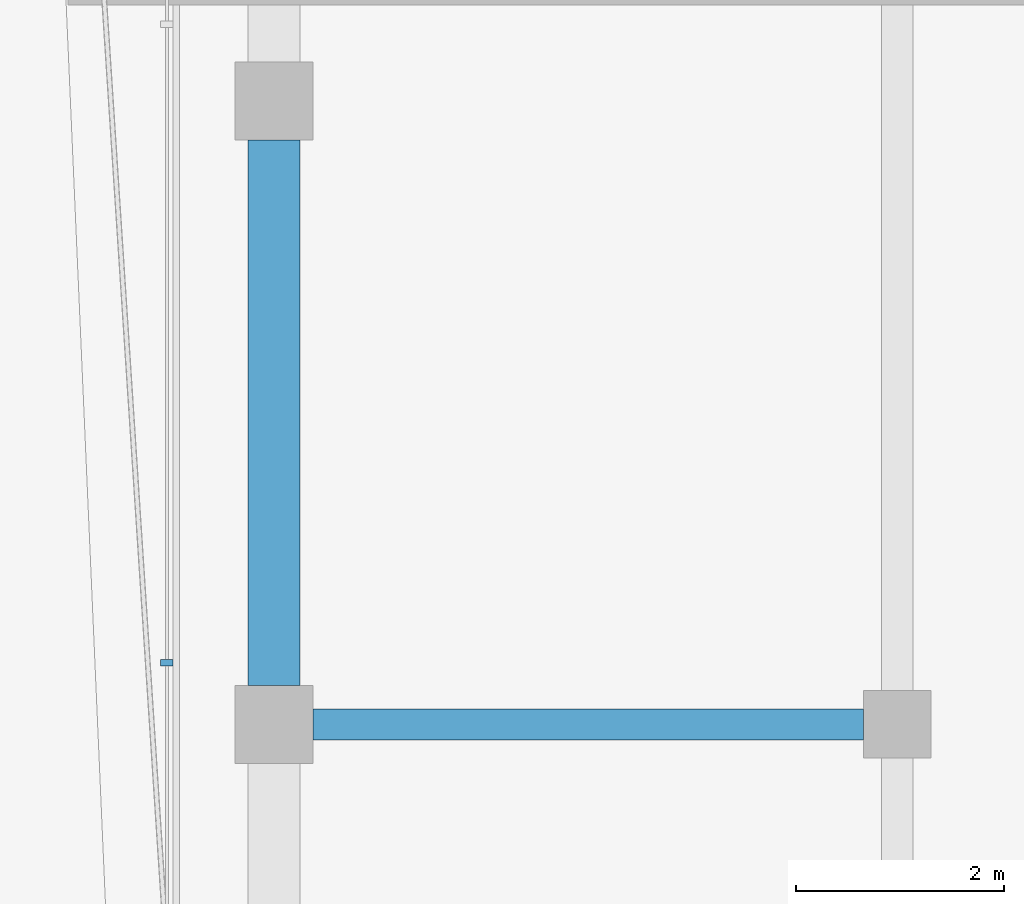
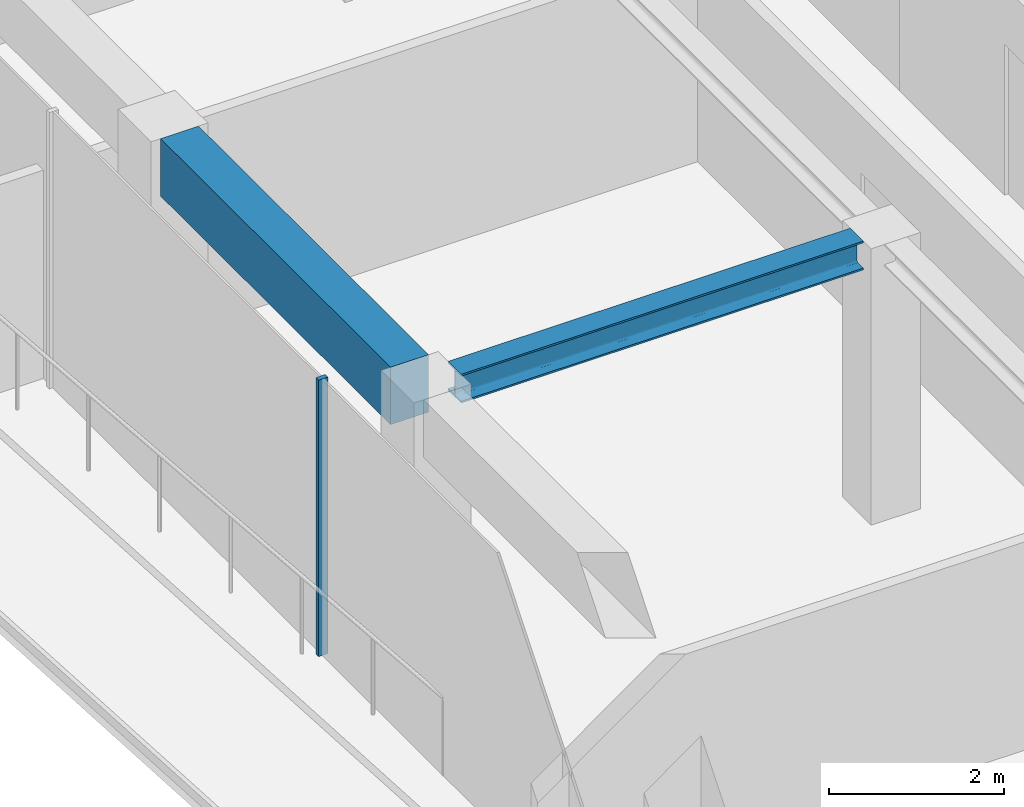
# One storey, part 10 of 20: 2 beams, 1 member, 1 element without a shape of its own.
"""IFC4 building model written with IfcOpenShell, lengths in metres."""

from ifc_helpers import new_model, si_unit, direction, frame, origin, origin_2d, place, context, subcontext, project, spatial, rectangle, i_section, extrude, material, layer, layer_set, material_profile, profile_set, type_object, element, aggregate, save


model = new_model("IFC4")

# Units and contexts
model_context = context("Model", 3, precision=1e-05, world=origin(), true_north=direction((0.0, 1.0)))
body_context = subcontext(model_context, "Body", "Model", "MODEL_VIEW")
ifc_project = project(units=[si_unit("LENGTHUNIT", "METRE"), si_unit("AREAUNIT", "SQUARE_METRE"), si_unit("VOLUMEUNIT", "CUBIC_METRE"), si_unit("PLANEANGLEUNIT", "RADIAN"), si_unit("MASSUNIT", "GRAM", prefix="KILO")], contexts=[model_context])

# Site, building, storey
site_placement = place(None, origin())
site = spatial("IfcSite", under=ifc_project, at=site_placement, CompositionType="ELEMENT")
building_placement = place(site_placement, origin())
building = spatial("IfcBuilding", under=site, at=building_placement, Name="Welwitschia Terrace Campus", CompositionType="ELEMENT")
storey_placement = place(building_placement, frame((0.0, 0.0, 297.800048828125)))
storey = spatial("IfcBuildingStorey", under=building, at=storey_placement, Name="L66", CompositionType="ELEMENT", Elevation=297.800048828125)

# Curtain wall, member
ifc_material_1 = material(Name="Bronze anodised aluminium", Category="aluminium")
ifc_layer = layer(ifc_material_1, 0.1201171875)
ifc_layer_set = layer_set([ifc_layer], Name="Bronze anodised aluminium")
curtain_wall_type = type_object("IfcCurtainWallType", Name="Curtain wall CW2 tower 6000", PredefinedType="NOTDEFINED", material=ifc_layer_set)
curtain_wall_placement = place(storey_placement, origin())
curtain_wall = element("IfcCurtainWall", 1, at=curtain_wall_placement, inside=storey, type_object=curtain_wall_type, Name="CW L66.9.0", PredefinedType="NOTDEFINED")
ifc_material_2 = material(Name="Bronze anodised aluminium", Category="aluminium")
ifc_material_profile_1 = material_profile(ifc_material_2, rectangle(XDim=0.1201171875, YDim=0.06005859375, at=origin_2d()))
ifc_profile_set_1 = profile_set([ifc_material_profile_1], Name="Bronze anodised aluminium")
member_type = type_object("IfcMemberType", Name="Mullion 60x120", PredefinedType="MULLION", material=ifc_profile_set_1)
member_placement = place(storey_placement, frame((-1.030029296875, 44.593017578125, 0.0), z_axis=(0.0, 0.0, 1.0), x_axis=(1.0, 0.0, 0.0)))
member = element("IfcMember", 2, at=member_placement, type_object=member_type, Name="Mullion L66.9.0.3", PredefinedType="MULLION", context=body_context, shape_type="SweptSolid", body=[
    extrude(rectangle(XDim=0.1201171875, YDim=0.06005859375, at=origin_2d()), origin(), (0.0, 0.0, 1.0), 3.849853515625),
])
aggregate(curtain_wall, [member])

# Beams
ifc_material_3 = material(Name="Steel S355", Category="steel")
ifc_material_profile_2 = material_profile(ifc_material_3, i_section(OverallWidth=0.300048828125, OverallDepth=0.39990234375, WebThickness=0.013427734375, FlangeThickness=0.02392578125, FilletRadius=0.027099609375, at=origin_2d()))
ifc_profile_set_2 = profile_set([ifc_material_profile_2], Name="Steel S355")
beam_type_1 = type_object("IfcBeamType", Name="Primary beam HE 400 B", PredefinedType="BEAM", material=ifc_profile_set_2)
beam_1_placement = place(storey_placement, frame((0.37548828125, 44.0, 3.64990234375), z_axis=(1.0, 0.0, 0.0), x_axis=(0.0, 1.0, 0.0)))
element("IfcBeam", 3, at=beam_1_placement, inside=storey, type_object=beam_type_1, Name="Primary beam PB6", PredefinedType="BEAM", context=body_context, shape_type="SweptSolid", body=[
    extrude(i_section(OverallWidth=0.300048828125, OverallDepth=0.39990234375, WebThickness=0.013427734375, FlangeThickness=0.02392578125, FilletRadius=0.027099609375, at=origin_2d()), origin(), (0.0, 0.0, 1.0), 5.299072265625),
])
ifc_material_4 = material(Name="Concrete C50/60", Category="concrete")
ifc_material_profile_3 = material_profile(ifc_material_4, rectangle(XDim=0.5, YDim=0.800048828125, at=origin_2d()))
ifc_profile_set_3 = profile_set([ifc_material_profile_3], Name="Concrete C50/60")
beam_type_2 = type_object("IfcBeamType", Name="Ring spandrel 500x800", PredefinedType="SPANDREL", material=ifc_profile_set_3)
beam_2_placement = place(storey_placement, frame((0.0, 49.62451171875, 3.449951171875), z_axis=(0.0, -1.0, 0.0), x_axis=(1.0, 0.0, 0.0)))
element("IfcBeam", 4, at=beam_2_placement, inside=storey, type_object=beam_type_2, Name="Spandrel SP4", PredefinedType="SPANDREL", context=body_context, shape_type="SweptSolid", body=[
    extrude(rectangle(XDim=0.5, YDim=0.800048828125, at=origin_2d()), origin(), (0.0, 0.0, 1.0), 5.2490234375),
])

save(model, "model.ifc")
